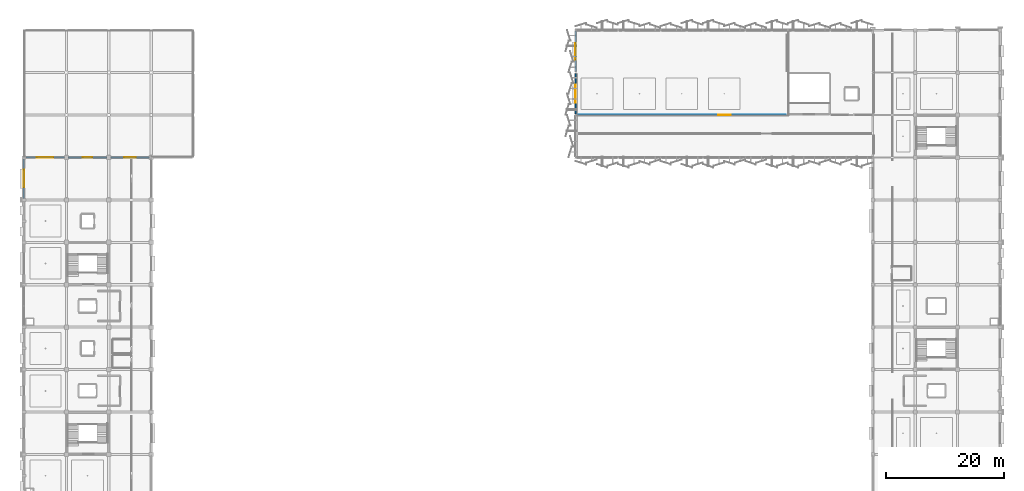
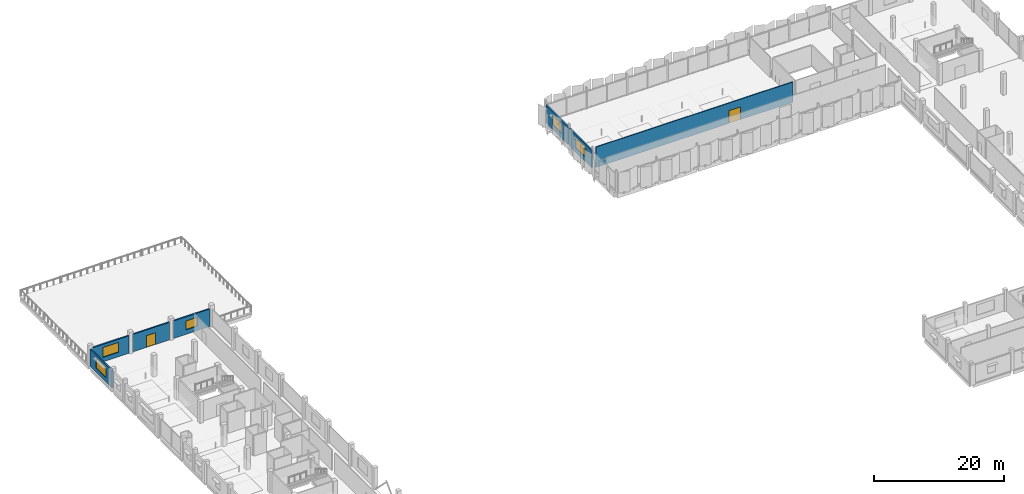
# One storey, part 55 of 77: 7 walls, 5 windows, 2 doors, 7 openings.
"""IFC4 building model written with IfcOpenShell, lengths in metres."""

from ifc_helpers import new_model, si_unit, direction, frame, frame_2d, origin, place, context, subcontext, project, spatial, rectangle, extrude, material, layer, layer_set, type_object, element, fill, save


model = new_model("IFC4")

# Units and contexts
model_context = context("Model", 3, precision=1e-05, world=origin(), true_north=direction((0.0, 1.0)))
body_context = subcontext(model_context, "Body", "Model", "MODEL_VIEW")
ifc_project = project(units=[si_unit("LENGTHUNIT", "METRE"), si_unit("AREAUNIT", "SQUARE_METRE"), si_unit("VOLUMEUNIT", "CUBIC_METRE"), si_unit("PLANEANGLEUNIT", "RADIAN"), si_unit("MASSUNIT", "GRAM", prefix="KILO")], contexts=[model_context])

# Site, building, storey
site_placement = place(None, origin())
site = spatial("IfcSite", under=ifc_project, at=site_placement, CompositionType="ELEMENT")
building_placement = place(site_placement, origin())
building = spatial("IfcBuilding", under=site, at=building_placement, Name="Kangsadwip Square Police Headquarters", CompositionType="ELEMENT")
storey_placement = place(building_placement, frame((0.0, 0.0, 17.550048828125)))
storey = spatial("IfcBuildingStorey", under=building, at=storey_placement, Name="L04", CompositionType="ELEMENT", Elevation=17.550048828125)

# Wall, opening, door
ifc_material_1 = material(Name="Autoclaved aerated concrete blockwork masonry", Category="masonry")
ifc_layer_1 = layer(ifc_material_1, 0.14990234375)
ifc_layer_set_1 = layer_set([ifc_layer_1], Name="Autoclaved aerated concrete blockwork masonry")
wall_type_1 = type_object("IfcWallType", Name="BlockPartition150", PredefinedType="PARTITIONING", material=ifc_layer_set_1)
wall_1_placement = place(storey_placement, frame((94.10009765625, 100.800048828125, 0.0), z_axis=(0.0, 0.0, 1.0), x_axis=(1.0, 0.0, 0.0)))
wall_1 = element("IfcWall", 1, at=wall_1_placement, inside=storey, type_object=wall_type_1, Name="Interior Wall WI-L04-0854", PredefinedType="PARTITIONING", context=body_context, shape_type="SweptSolid", body=[
    extrude(rectangle(XDim=35.099853515625, YDim=0.14990234375, at=frame_2d((17.5498046875, 0.0))), origin(), (0.0, 0.0, 1.0), 3.829833984375),
])
opening_1_placement = place(wall_1_placement, frame((23.679931640625, 0.0, 0.0)))
opening_1 = element("IfcOpeningElement", 2, at=opening_1_placement, cuts=wall_1, Name="Opening ID-21", PredefinedType="OPENING", context=body_context, shape_type="SweptSolid", body=[
    extrude(rectangle(XDim=2.10009765625, YDim=2.39990234375, at=frame_2d((1.050048828125, 1.199951171875))), frame((0.0, 0.0849609375, 0.0), z_axis=(0.0, -1.0, 0.0), x_axis=(1.0, 0.0, 0.0)), (0.0, 0.0, 1.0), 0.169921875),
])
ifc_material_2 = material(Name="Solid-core seasoned teak hardwood architectural door", Category="wood")
door_type_1 = type_object("IfcDoorType", Name="HallDoubleDoor2100x2400", OperationType="DOUBLE_DOOR_SINGLE_SWING", PredefinedType="DOOR", material=ifc_material_2)
door_1_placement = place(opening_1_placement, origin())
door_1 = element("IfcDoor", 3, at=door_1_placement, inside=storey, type_object=door_type_1, Name="Interior Door ID-L04-0228", OperationType="DOUBLE_DOOR_SINGLE_SWING", OverallHeight=2.39990234375, OverallWidth=2.10009765625, PredefinedType="DOOR", context=body_context, shape_type="SweptSolid", body=[
    extrude(rectangle(XDim=2.10009765625, YDim=2.39990234375, at=frame_2d((1.050048828125, 1.199951171875))), frame((0.0, 0.02490234375, 0.0), z_axis=(0.0, -1.0, 0.0), x_axis=(1.0, 0.0, 0.0)), (0.0, 0.0, 1.0), 0.050048828125),
])
fill(opening_1, door_1)

# Wall, opening, window
ifc_material_3 = material(Name="Glazed architectural terracotta masonry rainscreen", Category="masonry")
ifc_layer_2 = layer(ifc_material_3, 0.25)
ifc_layer_set_2 = layer_set([ifc_layer_2], Name="Glazed architectural terracotta masonry rainscreen")
wall_type_2 = type_object("IfcWallType", Name="ChicagoTerracottaWall250", PredefinedType="SOLIDWALL", material=ifc_layer_set_2)
wall_2_placement = place(storey_placement, frame((0.344970703125, 93.60009765625, 0.0), z_axis=(0.0, 0.0, 1.0), x_axis=(1.0, 0.0, 0.0)))
wall_2 = element("IfcWall", 4, at=wall_2_placement, inside=storey, type_object=wall_type_2, Name="Exterior Wall WE-L04-435", PredefinedType="SOLIDWALL", context=body_context, shape_type="SweptSolid", body=[
    extrude(rectangle(XDim=6.510009765625, YDim=0.25, at=frame_2d((3.2548828125, 0.0))), origin(), (0.0, 0.0, 1.0), 3.294921875),
])
opening_2_placement = place(wall_2_placement, frame((1.85498046875, 0.0, 0.85009765625)))
opening_2 = element("IfcOpeningElement", 5, at=opening_2_placement, cuts=wall_2, Name="Opening WN-05", PredefinedType="OPENING", context=body_context, shape_type="SweptSolid", body=[
    extrude(rectangle(XDim=2.800048828125, YDim=1.85009765625, at=frame_2d((1.39990234375, 0.925048828125))), frame((0.0, 0.135009765625, 0.0), z_axis=(0.0, -1.0, 0.0), x_axis=(1.0, 0.0, 0.0)), (0.0, 0.0, 1.0), 0.27001953125),
])
ifc_material_4 = material(Name="Double-glazed solar-control low-E safety glass", Category="glass")
window_type_1 = type_object("IfcWindowType", Name="ChicagoDoubleMullWin2800x1850", PartitioningType="DOUBLE_PANEL_VERTICAL", PredefinedType="WINDOW", material=ifc_material_4)
window_1_placement = place(opening_2_placement, origin())
window_1 = element("IfcWindow", 6, at=window_1_placement, inside=storey, type_object=window_type_1, Name="Window WN-L04-0286", OverallHeight=1.85009765625, OverallWidth=2.800048828125, PartitioningType="SINGLE_PANEL", PredefinedType="WINDOW", context=body_context, shape_type="SweptSolid", body=[
    extrude(rectangle(XDim=2.800048828125, YDim=1.85009765625, at=frame_2d((1.39990234375, 0.925048828125))), frame((0.0, 0.030029296875, 0.0), z_axis=(0.0, -1.0, 0.0), x_axis=(1.0, 0.0, 0.0)), (0.0, 0.0, 1.0), 0.06005859375),
])
fill(opening_2, window_1)

# Wall, opening, door
wall_3_placement = place(storey_placement, frame((7.544921875, 93.60009765625, 0.0), z_axis=(0.0, 0.0, 1.0), x_axis=(1.0, 0.0, 0.0)))
wall_3 = element("IfcWall", 7, at=wall_3_placement, inside=storey, type_object=wall_type_2, Name="Exterior Wall WE-L04-436", PredefinedType="SOLIDWALL", context=body_context, shape_type="SweptSolid", body=[
    extrude(rectangle(XDim=6.510009765625, YDim=0.25, at=frame_2d((3.2548828125, 0.0))), origin(), (0.0, 0.0, 1.0), 3.294921875),
])
opening_3_placement = place(wall_3_placement, frame((2.455078125, 0.0, 0.0)))
opening_3 = element("IfcOpeningElement", 8, at=opening_3_placement, cuts=wall_3, Name="Opening TD-16", PredefinedType="OPENING", context=body_context, shape_type="SweptSolid", body=[
    extrude(rectangle(XDim=1.60009765625, YDim=2.199951171875, at=frame_2d((0.800048828125, 1.10009765625))), frame((0.0, 0.135009765625, 0.0), z_axis=(0.0, -1.0, 0.0), x_axis=(1.0, 0.0, 0.0)), (0.0, 0.0, 1.0), 0.27001953125),
])
ifc_material_5 = material(Name="Galvanized hollow-metal architectural steel door assembly", Category="steel")
door_type_2 = type_object("IfcDoorType", Name="TerraceAccessDoubleDoor1600x2200", OperationType="DOUBLE_DOOR_SINGLE_SWING", PredefinedType="DOOR", material=ifc_material_5)
door_2_placement = place(opening_3_placement, origin())
door_2 = element("IfcDoor", 9, at=door_2_placement, inside=storey, type_object=door_type_2, Name="Exterior Door ED-L04-022", OperationType="DOUBLE_DOOR_SINGLE_SWING", OverallHeight=2.199951171875, OverallWidth=1.60009765625, PredefinedType="DOOR", context=body_context, shape_type="SweptSolid", body=[
    extrude(rectangle(XDim=1.60009765625, YDim=2.199951171875, at=frame_2d((0.800048828125, 1.10009765625))), frame((0.0, 0.02490234375, 0.0), z_axis=(0.0, -1.0, 0.0), x_axis=(1.0, 0.0, 0.0)), (0.0, 0.0, 1.0), 0.050048828125),
])
fill(opening_3, door_2)

# Wall, opening, window
wall_4_placement = place(storey_placement, frame((14.7451171875, 93.60009765625, 0.0), z_axis=(0.0, 0.0, 1.0), x_axis=(1.0, 0.0, 0.0)))
wall_4 = element("IfcWall", 10, at=wall_4_placement, inside=storey, type_object=wall_type_2, Name="Exterior Wall WE-L04-437", PredefinedType="SOLIDWALL", context=body_context, shape_type="SweptSolid", body=[
    extrude(rectangle(XDim=6.509765625, YDim=0.25, at=frame_2d((3.2548828125, 0.0))), origin(), (0.0, 0.0, 1.0), 3.294921875),
])
opening_4_placement = place(wall_4_placement, frame((2.2548828125, 0.0, 0.85009765625)))
opening_4 = element("IfcOpeningElement", 11, at=opening_4_placement, cuts=wall_4, Name="Opening WN-09", PredefinedType="OPENING", context=body_context, shape_type="SweptSolid", body=[
    extrude(rectangle(XDim=2.0, YDim=1.64990234375, at=frame_2d((1.0, 0.824951171875))), frame((0.0, 0.135009765625, 0.0), z_axis=(0.0, -1.0, 0.0), x_axis=(1.0, 0.0, 0.0)), (0.0, 0.0, 1.0), 0.27001953125),
])
ifc_material_6 = material(Name="Double-glazed solar-control low-E safety glass", Category="glass")
window_type_2 = type_object("IfcWindowType", Name="ChicagoDoubleMullWin2000x1650", PartitioningType="DOUBLE_PANEL_VERTICAL", PredefinedType="WINDOW", material=ifc_material_6)
window_2_placement = place(opening_4_placement, origin())
window_2 = element("IfcWindow", 12, at=window_2_placement, inside=storey, type_object=window_type_2, Name="Window WN-L04-0287", OverallHeight=1.64990234375, OverallWidth=2.0, PartitioningType="SINGLE_PANEL", PredefinedType="WINDOW", context=body_context, shape_type="SweptSolid", body=[
    extrude(rectangle(XDim=2.0, YDim=1.64990234375, at=frame_2d((1.0, 0.824951171875))), frame((0.0, 0.030029296875, 0.0), z_axis=(0.0, -1.0, 0.0), x_axis=(1.0, 0.0, 0.0)), (0.0, 0.0, 1.0), 0.06005859375),
])
fill(opening_4, window_2)

wall_5_placement = place(storey_placement, frame((0.0, 86.64501953125, 0.0), z_axis=(0.0, 0.0, 1.0), x_axis=(0.0, 1.0, 0.0)))
wall_5 = element("IfcWall", 13, at=wall_5_placement, inside=storey, type_object=wall_type_2, Name="Exterior Wall WE-L04-449", PredefinedType="SOLIDWALL", context=body_context, shape_type="SweptSolid", body=[
    extrude(rectangle(XDim=6.7099609375, YDim=0.25, at=frame_2d((3.35498046875, 0.0))), origin(), (0.0, 0.0, 1.0), 3.294921875),
])
opening_5_placement = place(wall_5_placement, frame((1.85498046875, 0.0, 0.85009765625)))
opening_5 = element("IfcOpeningElement", 14, at=opening_5_placement, cuts=wall_5, Name="Opening WN-04", PredefinedType="OPENING", context=body_context, shape_type="SweptSolid", body=[
    extrude(rectangle(XDim=3.0, YDim=1.89990234375, at=frame_2d((1.5, 0.949951171875))), frame((0.0, 0.135009765625, 0.0), z_axis=(0.0, -1.0, 0.0), x_axis=(1.0, 0.0, 0.0)), (0.0, 0.0, 1.0), 0.27001953125),
])
ifc_material_7 = material(Name="Double-glazed solar-control low-E safety glass", Category="glass")
window_type_3 = type_object("IfcWindowType", Name="ChicagoTripartiteWin3000x1900", PartitioningType="TRIPLE_PANEL_HORIZONTAL", PredefinedType="WINDOW", material=ifc_material_7)
window_3_placement = place(opening_5_placement, origin())
window_3 = element("IfcWindow", 15, at=window_3_placement, inside=storey, type_object=window_type_3, Name="Window WN-L04-0299", OverallHeight=1.89990234375, OverallWidth=3.0, PartitioningType="SINGLE_PANEL", PredefinedType="WINDOW", context=body_context, shape_type="SweptSolid", body=[
    extrude(rectangle(XDim=3.0, YDim=1.89990234375, at=frame_2d((1.5, 0.949951171875))), frame((0.0, 0.030029296875, 0.0), z_axis=(0.0, -1.0, 0.0), x_axis=(1.0, 0.0, 0.0)), (0.0, 0.0, 1.0), 0.06005859375),
])
fill(opening_5, window_3)

wall_6_placement = place(storey_placement, frame((93.60009765625, 100.952880859375, 0.0), z_axis=(0.0, 0.0, 1.0), x_axis=(0.0, 1.0, 0.0)))
wall_6 = element("IfcWall", 16, at=wall_6_placement, inside=storey, type_object=wall_type_2, Name="Exterior Wall WE-L04-454", PredefinedType="SOLIDWALL", context=body_context, shape_type="SweptSolid", body=[
    extrude(rectangle(XDim=6.89404296875, YDim=0.25, at=frame_2d((3.447021484375, 0.0))), origin(), (0.0, 0.0, 1.0), 3.294921875),
])
opening_6_placement = place(wall_6_placement, frame((1.947021484375, 0.0, 0.85009765625)))
opening_6 = element("IfcOpeningElement", 17, at=opening_6_placement, cuts=wall_6, Name="Opening WN-04", PredefinedType="OPENING", context=body_context, shape_type="SweptSolid", body=[
    extrude(rectangle(XDim=3.0, YDim=1.89990234375, at=frame_2d((1.5, 0.949951171875))), frame((0.0, 0.135009765625, 0.0), z_axis=(0.0, -1.0, 0.0), x_axis=(1.0, 0.0, 0.0)), (0.0, 0.0, 1.0), 0.27001953125),
])
window_4_placement = place(opening_6_placement, origin())
window_4 = element("IfcWindow", 18, at=window_4_placement, inside=storey, type_object=window_type_3, Name="Window WN-L04-0304", OverallHeight=1.89990234375, OverallWidth=3.0, PartitioningType="SINGLE_PANEL", PredefinedType="WINDOW", context=body_context, shape_type="SweptSolid", body=[
    extrude(rectangle(XDim=3.0, YDim=1.89990234375, at=frame_2d((1.5, 0.949951171875))), frame((0.0, 0.030029296875, 0.0), z_axis=(0.0, -1.0, 0.0), x_axis=(1.0, 0.0, 0.0)), (0.0, 0.0, 1.0), 0.06005859375),
])
fill(opening_6, window_4)

wall_7_placement = place(storey_placement, frame((93.60009765625, 108.153076171875, 0.0), z_axis=(0.0, 0.0, 1.0), x_axis=(0.0, 1.0, 0.0)))
wall_7 = element("IfcWall", 19, at=wall_7_placement, inside=storey, type_object=wall_type_2, Name="Exterior Wall WE-L04-455", PredefinedType="SOLIDWALL", context=body_context, shape_type="SweptSolid", body=[
    extrude(rectangle(XDim=6.89404296875, YDim=0.25, at=frame_2d((3.447021484375, 0.0))), origin(), (0.0, 0.0, 1.0), 3.294921875),
])
opening_7_placement = place(wall_7_placement, frame((2.047119140625, 0.0, 0.85009765625)))
opening_7 = element("IfcOpeningElement", 20, at=opening_7_placement, cuts=wall_7, Name="Opening WN-05", PredefinedType="OPENING", context=body_context, shape_type="SweptSolid", body=[
    extrude(rectangle(XDim=2.800048828125, YDim=1.85009765625, at=frame_2d((1.39990234375, 0.925048828125))), frame((0.0, 0.135009765625, 0.0), z_axis=(0.0, -1.0, 0.0), x_axis=(1.0, 0.0, 0.0)), (0.0, 0.0, 1.0), 0.27001953125),
])
window_5_placement = place(opening_7_placement, origin())
window_5 = element("IfcWindow", 21, at=window_5_placement, inside=storey, type_object=window_type_1, Name="Window WN-L04-0305", OverallHeight=1.85009765625, OverallWidth=2.800048828125, PartitioningType="SINGLE_PANEL", PredefinedType="WINDOW", context=body_context, shape_type="SweptSolid", body=[
    extrude(rectangle(XDim=2.800048828125, YDim=1.85009765625, at=frame_2d((1.39990234375, 0.925048828125))), frame((0.0, 0.030029296875, 0.0), z_axis=(0.0, -1.0, 0.0), x_axis=(1.0, 0.0, 0.0)), (0.0, 0.0, 1.0), 0.06005859375),
])
fill(opening_7, window_5)

save(model, "model.ifc")
